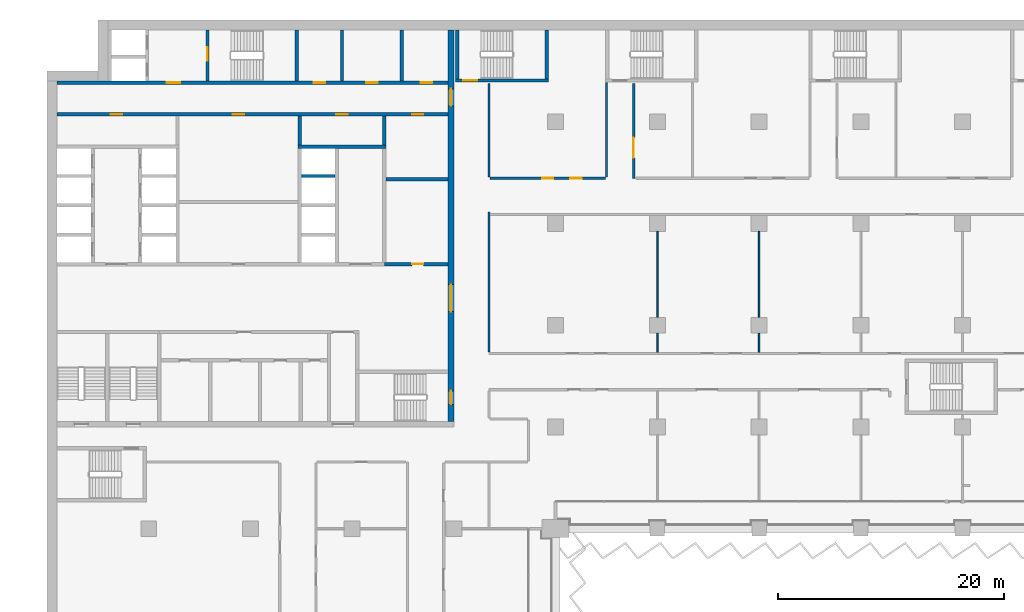
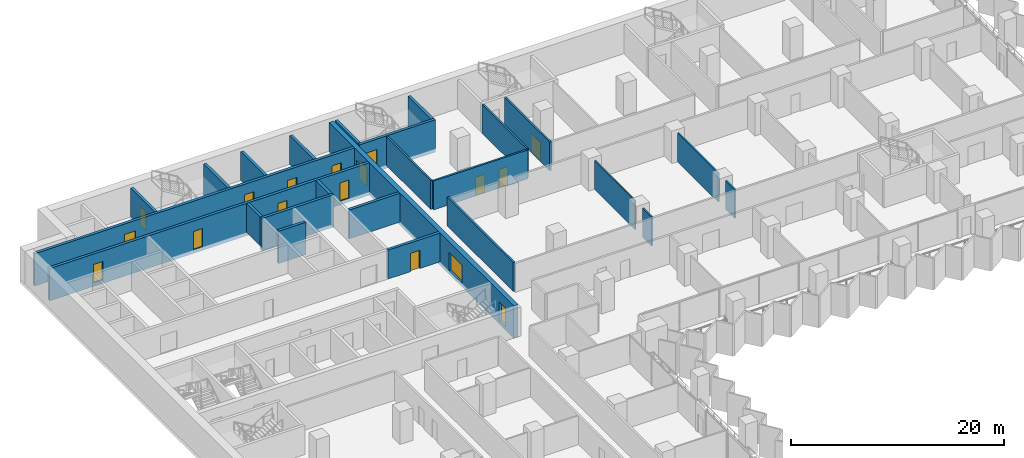
# One storey, part 15 of 28: 25 walls, 17 doors, 17 openings.
"""IFC4 building model written with IfcOpenShell, lengths in metres."""

from ifc_helpers import new_model, si_unit, direction, frame, frame_2d, origin, place, context, subcontext, project, spatial, rectangle, extrude, material, layer, layer_set, type_object, element, fill, save


model = new_model("IFC4")

# Units and contexts
model_context = context("Model", 3, precision=1e-05, world=origin(), true_north=direction((0.0, 1.0)))
body_context = subcontext(model_context, "Body", "Model", "MODEL_VIEW")
ifc_project = project(units=[si_unit("LENGTHUNIT", "METRE"), si_unit("AREAUNIT", "SQUARE_METRE"), si_unit("VOLUMEUNIT", "CUBIC_METRE"), si_unit("PLANEANGLEUNIT", "RADIAN"), si_unit("MASSUNIT", "GRAM", prefix="KILO")], contexts=[model_context])

# Site, building, storey
site_placement = place(None, origin())
site = spatial("IfcSite", under=ifc_project, at=site_placement, CompositionType="ELEMENT")
building_placement = place(site_placement, origin())
building = spatial("IfcBuilding", under=site, at=building_placement, Name="Hunhe Ridgeline Campus", CompositionType="ELEMENT")
storey_placement = place(building_placement, frame((0.0, 0.0, 61.699951171875)))
storey = spatial("IfcBuildingStorey", under=building, at=storey_placement, Name="L14", CompositionType="ELEMENT", Elevation=61.699951171875)

# Wall, opening, door
ifc_material_1 = material(Name="Masonry concrete blockwork", Category="masonry")
ifc_layer_1 = layer(ifc_material_1, 0.300048828125)
ifc_layer_set_1 = layer_set([ifc_layer_1], Name="Core room partition 300 concrete block")
wall_type_1 = type_object("IfcWallType", Name="Core room partition 300 concrete block", PredefinedType="PARTITIONING", material=ifc_layer_set_1)
wall_1_placement = place(storey_placement, frame((29.85009765625, 77.39990234375, 0.0), z_axis=(0.0, 0.0, 1.0), x_axis=(1.0, 0.0, 0.0)))
wall_1 = element("IfcWall", 1, at=wall_1_placement, inside=storey, type_object=wall_type_1, Name="L14 core partition 15", PredefinedType="PARTITIONING", context=body_context, shape_type="SweptSolid", body=[
    extrude(rectangle(XDim=5.64990234375, YDim=0.300048828125, at=frame_2d((2.824951171875, 0.0))), origin(), (0.0, 0.0, 1.0), 3.300048828125),
])
opening_1_placement = place(wall_1_placement, frame((2.449951171875, 0.0, 0.0)))
opening_1 = element("IfcOpeningElement", 2, at=opening_1_placement, cuts=wall_1, Name="Opening CD32", PredefinedType="OPENING", context=body_context, shape_type="SweptSolid", body=[
    extrude(rectangle(XDim=1.0, YDim=2.10009765625, at=frame_2d((0.5, 1.050048828125))), frame((0.0, 0.14990234375, 0.0), z_axis=(0.0, -1.0, 0.0), x_axis=(1.0, 0.0, 0.0)), (0.0, 0.0, 1.0), 0.300048828125),
])
ifc_material_2 = material(Name="Solid core timber door leaf", Category="wood")
door_type_1 = type_object("IfcDoorType", Name="Timber door 1000x2100", OperationType="SINGLE_SWING_LEFT", PredefinedType="DOOR", material=ifc_material_2)
door_1_placement = place(opening_1_placement, origin())
door_1 = element("IfcDoor", 3, at=door_1_placement, inside=storey, type_object=door_type_1, Name="L14 door ES0", OperationType="SINGLE_SWING_RIGHT", OverallHeight=2.10009765625, OverallWidth=1.0, PredefinedType="DOOR", context=body_context, shape_type="SweptSolid", body=[
    extrude(rectangle(XDim=1.0, YDim=2.10009765625, at=frame_2d((0.5, 1.050048828125))), frame((0.0, 0.02490234375, 0.0), z_axis=(0.0, -1.0, 0.0), x_axis=(1.0, 0.0, 0.0)), (0.0, 0.0, 1.0), 0.050048828125),
])
fill(opening_1, door_1)

# Walls
wall_2_placement = place(storey_placement, frame((30.0, 84.89990234375, 0.0), z_axis=(0.0, 0.0, 1.0), x_axis=(1.0, 0.0, 0.0)))
element("IfcWall", 4, at=wall_2_placement, inside=storey, type_object=wall_type_1, Name="L14 core partition 23", PredefinedType="PARTITIONING", context=body_context, shape_type="SweptSolid", body=[
    extrude(rectangle(XDim=5.5, YDim=0.300048828125, at=frame_2d((2.75, 0.0))), origin(), (0.0, 0.0, 1.0), 3.300048828125),
])
wall_3_placement = place(storey_placement, frame((22.35009765625, 87.949951171875, 0.0), z_axis=(0.0, 0.0, 1.0), x_axis=(0.0, 1.0, 0.0)))
element("IfcWall", 5, at=wall_3_placement, inside=storey, type_object=wall_type_1, Name="L14 core partition 52", PredefinedType="PARTITIONING", context=body_context, shape_type="SweptSolid", body=[
    extrude(rectangle(XDim=2.550048828125, YDim=0.300048828125, at=frame_2d((1.27490234375, 0.0))), origin(), (0.0, 0.0, 1.0), 3.300048828125),
])
wall_4_placement = place(storey_placement, frame((26.10009765625, 93.60009765625, 0.0), z_axis=(0.0, 0.0, 1.0), x_axis=(0.0, 1.0, 0.0)))
element("IfcWall", 6, at=wall_4_placement, inside=storey, type_object=wall_type_1, Name="L14 core partition 57", PredefinedType="PARTITIONING", context=body_context, shape_type="SweptSolid", body=[
    extrude(rectangle(XDim=4.5, YDim=0.300048828125, at=frame_2d((2.25, 0.0))), origin(), (0.0, 0.0, 1.0), 3.300048828125),
])
wall_5_placement = place(storey_placement, frame((29.85009765625, 87.949951171875, 0.0), z_axis=(0.0, 0.0, 1.0), x_axis=(0.0, 1.0, 0.0)))
element("IfcWall", 7, at=wall_5_placement, inside=storey, type_object=wall_type_1, Name="L14 core partition 61", PredefinedType="PARTITIONING", context=body_context, shape_type="SweptSolid", body=[
    extrude(rectangle(XDim=2.550048828125, YDim=0.300048828125, at=frame_2d((1.27490234375, 0.0))), origin(), (0.0, 0.0, 1.0), 3.300048828125),
])
wall_6_placement = place(storey_placement, frame((31.39990234375, 93.60009765625, 0.0), z_axis=(0.0, 0.0, 1.0), x_axis=(0.0, 1.0, 0.0)))
element("IfcWall", 8, at=wall_6_placement, inside=storey, type_object=wall_type_1, Name="L14 core partition 62", PredefinedType="PARTITIONING", context=body_context, shape_type="SweptSolid", body=[
    extrude(rectangle(XDim=4.5, YDim=0.300048828125, at=frame_2d((2.25, 0.0))), origin(), (0.0, 0.0, 1.0), 3.300048828125),
])

# Wall, openings, doors
ifc_material_3 = material(Name="Concrete C80", Category="concrete")
ifc_layer_2 = layer(ifc_material_3, 0.5)
ifc_layer_set_2 = layer_set([ifc_layer_2], Name="Core wall 500 reinforced concrete C80")
wall_type_2 = type_object("IfcWallType", Name="Core wall 500 reinforced concrete C80", PredefinedType="SOLIDWALL", material=ifc_layer_set_2)
wall_7_placement = place(storey_placement, frame((35.75, 63.5, -0.39990234375), z_axis=(0.0, 0.0, 1.0), x_axis=(0.0, 1.0, 0.0)))
wall_7 = element("IfcWall", 9, at=wall_7_placement, inside=storey, type_object=wall_type_2, Name="L14 core wall 63", PredefinedType="SOLIDWALL", context=body_context, shape_type="SweptSolid", body=[
    extrude(rectangle(XDim=34.60009765625, YDim=0.5, at=frame_2d((17.300048828125, 0.0))), origin(), (0.0, 0.0, 1.0), 3.699951171875),
])
opening_2_placement = place(wall_7_placement, frame((9.699951171875, 0.0, 0.39990234375)))
opening_2 = element("IfcOpeningElement", 10, at=opening_2_placement, cuts=wall_7, Name="Opening CD4", PredefinedType="OPENING", context=body_context, shape_type="SweptSolid", body=[
    extrude(rectangle(XDim=2.39990234375, YDim=2.10009765625, at=frame_2d((1.199951171875, 1.050048828125))), frame((0.0, 0.25, 0.0), z_axis=(0.0, -1.0, 0.0), x_axis=(1.0, 0.0, 0.0)), (0.0, 0.0, 1.0), 0.5),
])
opening_3_placement = place(wall_7_placement, frame((27.89990234375, 0.0, 0.39990234375)))
opening_3 = element("IfcOpeningElement", 11, at=opening_3_placement, cuts=wall_7, Name="Opening CD5", PredefinedType="OPENING", context=body_context, shape_type="SweptSolid", body=[
    extrude(rectangle(XDim=1.5, YDim=2.10009765625, at=frame_2d((0.75, 1.050048828125))), frame((0.0, 0.25, 0.0), z_axis=(0.0, -1.0, 0.0), x_axis=(1.0, 0.0, 0.0)), (0.0, 0.0, 1.0), 0.5),
])
opening_4_placement = place(wall_7_placement, frame((1.5, 0.0, 0.39990234375)))
opening_4 = element("IfcOpeningElement", 12, at=opening_4_placement, cuts=wall_7, Name="Opening CD15", PredefinedType="OPENING", context=body_context, shape_type="SweptSolid", body=[
    extrude(rectangle(XDim=1.199951171875, YDim=2.10009765625, at=frame_2d((0.60009765625, 1.050048828125))), frame((0.0, 0.25, 0.0), z_axis=(0.0, -1.0, 0.0), x_axis=(1.0, 0.0, 0.0)), (0.0, 0.0, 1.0), 0.5),
])
ifc_material_4 = material(Name="Anodised aluminium and glass", Category="aluminium")
door_type_2 = type_object("IfcDoorType", Name="Glazed double door 2400x2100", OperationType="DOUBLE_DOOR_SINGLE_SWING", PredefinedType="DOOR", material=ifc_material_4)
door_2_placement = place(opening_2_placement, frame((2.39990234375, 0.0, 0.0), z_axis=(0.0, 0.0, 1.0), x_axis=(-1.0, 0.0, 0.0)))
door_2 = element("IfcDoor", 13, at=door_2_placement, inside=storey, type_object=door_type_2, Name="L14 door HALL-FLOOR", OperationType="DOUBLE_DOOR_SINGLE_SWING", OverallHeight=2.10009765625, OverallWidth=2.39990234375, PredefinedType="DOOR", context=body_context, shape_type="SweptSolid", body=[
    extrude(rectangle(XDim=2.39990234375, YDim=2.10009765625, at=frame_2d((1.199951171875, 1.050048828125))), frame((0.0, 0.02490234375, 0.0), z_axis=(0.0, -1.0, 0.0), x_axis=(1.0, 0.0, 0.0)), (0.0, 0.0, 1.0), 0.050048828125),
])
fill(opening_2, door_2)
ifc_material_5 = material(Name="Hollow metal fire door leaf")
door_type_3 = type_object("IfcDoorType", Name="Stair door 1200x2100 FD60", OperationType="SINGLE_SWING_LEFT", PredefinedType="DOOR", material=ifc_material_5)
door_3_placement = place(opening_4_placement, frame((1.199951171875, 0.0, 0.0), z_axis=(0.0, 0.0, 1.0), x_axis=(-1.0, 0.0, 0.0)))
door_3 = element("IfcDoor", 14, at=door_3_placement, inside=storey, type_object=door_type_3, Name="L14 door S2-FLOOR", OperationType="SINGLE_SWING_RIGHT", OverallHeight=2.10009765625, OverallWidth=1.199951171875, PredefinedType="DOOR", context=body_context, shape_type="SweptSolid", body=[
    extrude(rectangle(XDim=1.199951171875, YDim=2.10009765625, at=frame_2d((0.60009765625, 1.050048828125))), frame((0.0, 0.02490234375, 0.0), z_axis=(0.0, -1.0, 0.0), x_axis=(1.0, 0.0, 0.0)), (0.0, 0.0, 1.0), 0.050048828125),
])
fill(opening_4, door_3)
door_type_4 = type_object("IfcDoorType", Name="Timber door 1500x2100", OperationType="SINGLE_SWING_LEFT", PredefinedType="DOOR", material=ifc_material_2)
door_4_placement = place(opening_3_placement, frame((1.5, 0.0, 0.0), z_axis=(0.0, 0.0, 1.0), x_axis=(-1.0, 0.0, 0.0)))
door_4 = element("IfcDoor", 15, at=door_4_placement, inside=storey, type_object=door_type_4, Name="L14 door C1-FLOOR", OperationType="SINGLE_SWING_RIGHT", OverallHeight=2.10009765625, OverallWidth=1.5, PredefinedType="DOOR", context=body_context, shape_type="SweptSolid", body=[
    extrude(rectangle(XDim=1.5, YDim=2.10009765625, at=frame_2d((0.75, 1.050048828125))), frame((0.0, 0.02490234375, 0.0), z_axis=(0.0, -1.0, 0.0), x_axis=(1.0, 0.0, 0.0)), (0.0, 0.0, 1.0), 0.050048828125),
])
fill(opening_3, door_4)

ifc_material_6 = material(Name="Gypsum board partition")
ifc_layer_3 = layer(ifc_material_6, 0.199951171875)
ifc_layer_set_3 = layer_set([ifc_layer_3], Name="Corridor partition 200 gypsum board on steel studs")
wall_type_3 = type_object("IfcWallType", Name="Corridor partition 200 gypsum board on steel studs", PredefinedType="PARTITIONING", material=ifc_layer_set_3)
wall_8_placement = place(storey_placement, frame((39.199951171875, 85.0, 0.0), z_axis=(0.0, 0.0, 1.0), x_axis=(1.0, 0.0, 0.0)))
wall_8 = element("IfcWall", 16, at=wall_8_placement, inside=storey, type_object=wall_type_3, Name="F-L14-wall-043", PredefinedType="PARTITIONING", context=body_context, shape_type="SweptSolid", body=[
    extrude(rectangle(XDim=10.199951171875, YDim=0.199951171875, at=frame_2d((5.10009765625, 0.0))), origin(), (0.0, 0.0, 1.0), 3.300048828125),
])
opening_5_placement = place(wall_8_placement, frame((4.60009765625, 0.0, 0.0)))
opening_5 = element("IfcOpeningElement", 17, at=opening_5_placement, cuts=wall_8, Name="Opening RD1-040", PredefinedType="OPENING", context=body_context, shape_type="SweptSolid", body=[
    extrude(rectangle(XDim=1.0, YDim=2.10009765625, at=frame_2d((0.5, 1.050048828125))), frame((0.0, 0.10009765625, 0.0), z_axis=(0.0, -1.0, 0.0), x_axis=(1.0, 0.0, 0.0)), (0.0, 0.0, 1.0), 0.199951171875),
])
opening_6_placement = place(wall_8_placement, frame((7.10009765625, 0.0, 0.0)))
opening_6 = element("IfcOpeningElement", 18, at=opening_6_placement, cuts=wall_8, Name="Opening RD1-041", PredefinedType="OPENING", context=body_context, shape_type="SweptSolid", body=[
    extrude(rectangle(XDim=1.0, YDim=2.10009765625, at=frame_2d((0.5, 1.050048828125))), frame((0.0, 0.10009765625, 0.0), z_axis=(0.0, -1.0, 0.0), x_axis=(1.0, 0.0, 0.0)), (0.0, 0.0, 1.0), 0.199951171875),
])
ifc_material_7 = material(Name="Timber door leaf", Category="wood")
door_type_5 = type_object("IfcDoorType", Name="Single fire door 1000x2100 timber FD60", OperationType="NOTDEFINED", PredefinedType="DOOR", material=ifc_material_7)
door_5_placement = place(opening_5_placement, frame((1.0, 0.0, 0.0), z_axis=(0.0, 0.0, 1.0), x_axis=(-1.0, 0.0, 0.0)))
door_5 = element("IfcDoor", 19, at=door_5_placement, inside=storey, type_object=door_type_5, Name="F-L14-door-040", OperationType="SINGLE_SWING_LEFT", OverallHeight=2.10009765625, OverallWidth=1.0, PredefinedType="DOOR", context=body_context, shape_type="SweptSolid", body=[
    extrude(rectangle(XDim=1.0, YDim=2.10009765625, at=frame_2d((0.5, 1.050048828125))), frame((0.0, 0.02490234375, 0.0), z_axis=(0.0, -1.0, 0.0), x_axis=(1.0, 0.0, 0.0)), (0.0, 0.0, 1.0), 0.050048828125),
])
fill(opening_5, door_5)
door_6_placement = place(opening_6_placement, frame((1.0, 0.0, 0.0), z_axis=(0.0, 0.0, 1.0), x_axis=(-1.0, 0.0, 0.0)))
door_6 = element("IfcDoor", 20, at=door_6_placement, inside=storey, type_object=door_type_5, Name="F-L14-door-041", OperationType="SINGLE_SWING_LEFT", OverallHeight=2.10009765625, OverallWidth=1.0, PredefinedType="DOOR", context=body_context, shape_type="SweptSolid", body=[
    extrude(rectangle(XDim=1.0, YDim=2.10009765625, at=frame_2d((0.5, 1.050048828125))), frame((0.0, 0.02490234375, 0.0), z_axis=(0.0, -1.0, 0.0), x_axis=(1.0, 0.0, 0.0)), (0.0, 0.0, 1.0), 0.050048828125),
])
fill(opening_6, door_6)

# Walls
wall_9_placement = place(storey_placement, frame((39.10009765625, 82.012451171875, 0.0), z_axis=(0.0, 0.0, 1.0), x_axis=(0.0, -1.0, 0.0)))
element("IfcWall", 21, at=wall_9_placement, inside=storey, type_object=wall_type_3, Name="F-L14-wall-063", PredefinedType="PARTITIONING", context=body_context, shape_type="SweptSolid", body=[
    extrude(rectangle(XDim=12.373291015625, YDim=0.199951171875, at=frame_2d((6.1865234375, 0.0))), origin(), (0.0, 0.0, 1.0), 3.300048828125),
])
wall_10_placement = place(storey_placement, frame((39.10009765625, 93.39599609375, 0.0), z_axis=(0.0, 0.0, 1.0), x_axis=(0.0, -1.0, 0.0)))
element("IfcWall", 22, at=wall_10_placement, inside=storey, type_object=wall_type_3, Name="F-L14-wall-064", PredefinedType="PARTITIONING", context=body_context, shape_type="SweptSolid", body=[
    extrude(rectangle(XDim=8.2958984375, YDim=0.199951171875, at=frame_2d((4.14794921875, 0.0))), origin(), (0.0, 0.0, 1.0), 3.300048828125),
])
wall_11_placement = place(storey_placement, frame((49.5, 85.10009765625, 0.0), z_axis=(0.0, 0.0, 1.0), x_axis=(0.0, 1.0, 0.0)))
element("IfcWall", 23, at=wall_11_placement, inside=storey, type_object=wall_type_3, Name="F-L14-wall-066", PredefinedType="PARTITIONING", context=body_context, shape_type="SweptSolid", body=[
    extrude(rectangle(XDim=8.369873046875, YDim=0.199951171875, at=frame_2d((4.18505859375, 0.0))), origin(), (0.0, 0.0, 1.0), 3.300048828125),
])

# Wall, opening, door
wall_12_placement = place(storey_placement, frame((51.89990234375, 93.39599609375, 0.0), z_axis=(0.0, 0.0, 1.0), x_axis=(0.0, -1.0, 0.0)))
wall_12 = element("IfcWall", 24, at=wall_12_placement, inside=storey, type_object=wall_type_3, Name="F-L14-wall-067", PredefinedType="PARTITIONING", context=body_context, shape_type="SweptSolid", body=[
    extrude(rectangle(XDim=8.39599609375, YDim=0.199951171875, at=frame_2d((4.197998046875, 0.0))), origin(), (0.0, 0.0, 1.0), 3.300048828125),
])
opening_7_placement = place(wall_12_placement, frame((4.798095703125, 0.0, 0.0)))
opening_7 = element("IfcOpeningElement", 25, at=opening_7_placement, cuts=wall_12, Name="Opening RD2-048", PredefinedType="OPENING", context=body_context, shape_type="SweptSolid", body=[
    extrude(rectangle(XDim=1.800048828125, YDim=2.10009765625, at=frame_2d((0.89990234375, 1.050048828125))), frame((0.0, 0.10009765625, 0.0), z_axis=(0.0, -1.0, 0.0), x_axis=(1.0, 0.0, 0.0)), (0.0, 0.0, 1.0), 0.199951171875),
])
door_type_6 = type_object("IfcDoorType", Name="Double fire door 1800x2100 timber FD60", OperationType="DOUBLE_DOOR_SINGLE_SWING", PredefinedType="DOOR", material=ifc_material_7)
door_7_placement = place(opening_7_placement, origin())
door_7 = element("IfcDoor", 26, at=door_7_placement, inside=storey, type_object=door_type_6, Name="F-L14-door-048", OperationType="DOUBLE_DOOR_SINGLE_SWING", OverallHeight=2.10009765625, OverallWidth=1.800048828125, PredefinedType="DOOR", context=body_context, shape_type="SweptSolid", body=[
    extrude(rectangle(XDim=1.800048828125, YDim=2.10009765625, at=frame_2d((0.89990234375, 1.050048828125))), frame((0.0, 0.02490234375, 0.0), z_axis=(0.0, -1.0, 0.0), x_axis=(1.0, 0.0, 0.0)), (0.0, 0.0, 1.0), 0.050048828125),
])
fill(opening_7, door_7)

# Wall, openings, doors
ifc_layer_4 = layer(ifc_material_3, 0.300048828125)
ifc_layer_set_4 = layer_set([ifc_layer_4], Name="Lobby wall 300 reinforced concrete C80")
wall_type_4 = type_object("IfcWallType", Name="Lobby wall 300 reinforced concrete C80", PredefinedType="SOLIDWALL", material=ifc_layer_set_4)
wall_13_placement = place(storey_placement, frame((0.89990234375, 90.64990234375, -0.39990234375), z_axis=(0.0, 0.0, 1.0), x_axis=(1.0, 0.0, 0.0)))
wall_13 = element("IfcWall", 27, at=wall_13_placement, inside=storey, type_object=wall_type_4, Name="L14 core wall 29", PredefinedType="SOLIDWALL", context=body_context, shape_type="SweptSolid", body=[
    extrude(rectangle(XDim=34.60009765625, YDim=0.300048828125, at=frame_2d((17.300048828125, 0.0))), origin(), (0.0, 0.0, 1.0), 3.699951171875),
])
opening_8_placement = place(wall_13_placement, frame((4.75, 0.0, 0.39990234375)))
opening_8 = element("IfcOpeningElement", 28, at=opening_8_placement, cuts=wall_13, Name="Opening CD26", PredefinedType="OPENING", context=body_context, shape_type="SweptSolid", body=[
    extrude(rectangle(XDim=1.0, YDim=2.10009765625, at=frame_2d((0.5, 1.050048828125))), frame((0.0, 0.14990234375, 0.0), z_axis=(0.0, -1.0, 0.0), x_axis=(1.0, 0.0, 0.0)), (0.0, 0.0, 1.0), 0.300048828125),
])
opening_9_placement = place(wall_13_placement, frame((24.699951171875, 0.0, 0.39990234375)))
opening_9 = element("IfcOpeningElement", 29, at=opening_9_placement, cuts=wall_13, Name="Opening CD27", PredefinedType="OPENING", context=body_context, shape_type="SweptSolid", body=[
    extrude(rectangle(XDim=1.0, YDim=2.10009765625, at=frame_2d((0.5, 1.050048828125))), frame((0.0, 0.14990234375, 0.0), z_axis=(0.0, -1.0, 0.0), x_axis=(1.0, 0.0, 0.0)), (0.0, 0.0, 1.0), 0.300048828125),
])
opening_10_placement = place(wall_13_placement, frame((15.550048828125, 0.0, 0.39990234375)))
opening_10 = element("IfcOpeningElement", 30, at=opening_10_placement, cuts=wall_13, Name="Opening CD29", PredefinedType="OPENING", context=body_context, shape_type="SweptSolid", body=[
    extrude(rectangle(XDim=1.0, YDim=2.10009765625, at=frame_2d((0.5, 1.050048828125))), frame((0.0, 0.14990234375, 0.0), z_axis=(0.0, -1.0, 0.0), x_axis=(1.0, 0.0, 0.0)), (0.0, 0.0, 1.0), 0.300048828125),
])
opening_11_placement = place(wall_13_placement, frame((31.39990234375, 0.0, 0.39990234375)))
opening_11 = element("IfcOpeningElement", 31, at=opening_11_placement, cuts=wall_13, Name="Opening CD33", PredefinedType="OPENING", context=body_context, shape_type="SweptSolid", body=[
    extrude(rectangle(XDim=1.0, YDim=2.10009765625, at=frame_2d((0.5, 1.050048828125))), frame((0.0, 0.14990234375, 0.0), z_axis=(0.0, -1.0, 0.0), x_axis=(1.0, 0.0, 0.0)), (0.0, 0.0, 1.0), 0.300048828125),
])
door_8_placement = place(opening_8_placement, frame((1.0, 0.0, 0.0), z_axis=(0.0, 0.0, 1.0), x_axis=(-1.0, 0.0, 0.0)))
door_8 = element("IfcDoor", 32, at=door_8_placement, inside=storey, type_object=door_type_1, Name="L14 door NR-0", OperationType="SINGLE_SWING_RIGHT", OverallHeight=2.10009765625, OverallWidth=1.0, PredefinedType="DOOR", context=body_context, shape_type="SweptSolid", body=[
    extrude(rectangle(XDim=1.0, YDim=2.10009765625, at=frame_2d((0.5, 1.050048828125))), frame((0.0, 0.02490234375, 0.0), z_axis=(0.0, -1.0, 0.0), x_axis=(1.0, 0.0, 0.0)), (0.0, 0.0, 1.0), 0.050048828125),
])
fill(opening_8, door_8)
door_9_placement = place(opening_9_placement, frame((1.0, 0.0, 0.0), z_axis=(0.0, 0.0, 1.0), x_axis=(-1.0, 0.0, 0.0)))
door_9 = element("IfcDoor", 33, at=door_9_placement, inside=storey, type_object=door_type_1, Name="L14 door NR-1", OperationType="SINGLE_SWING_LEFT", OverallHeight=2.10009765625, OverallWidth=1.0, PredefinedType="DOOR", context=body_context, shape_type="SweptSolid", body=[
    extrude(rectangle(XDim=1.0, YDim=2.10009765625, at=frame_2d((0.5, 1.050048828125))), frame((0.0, 0.02490234375, 0.0), z_axis=(0.0, -1.0, 0.0), x_axis=(1.0, 0.0, 0.0)), (0.0, 0.0, 1.0), 0.050048828125),
])
fill(opening_9, door_9)
door_10_placement = place(opening_10_placement, frame((1.0, 0.0, 0.0), z_axis=(0.0, 0.0, 1.0), x_axis=(-1.0, 0.0, 0.0)))
door_10 = element("IfcDoor", 34, at=door_10_placement, inside=storey, type_object=door_type_1, Name="L14 door VD-HR1", OperationType="SINGLE_SWING_LEFT", OverallHeight=2.10009765625, OverallWidth=1.0, PredefinedType="DOOR", context=body_context, shape_type="SweptSolid", body=[
    extrude(rectangle(XDim=1.0, YDim=2.10009765625, at=frame_2d((0.5, 1.050048828125))), frame((0.0, 0.02490234375, 0.0), z_axis=(0.0, -1.0, 0.0), x_axis=(1.0, 0.0, 0.0)), (0.0, 0.0, 1.0), 0.050048828125),
])
fill(opening_10, door_10)
door_11_placement = place(opening_11_placement, frame((1.0, 0.0, 0.0), z_axis=(0.0, 0.0, 1.0), x_axis=(-1.0, 0.0, 0.0)))
door_11 = element("IfcDoor", 35, at=door_11_placement, inside=storey, type_object=door_type_1, Name="L14 door ES1", OperationType="SINGLE_SWING_RIGHT", OverallHeight=2.10009765625, OverallWidth=1.0, PredefinedType="DOOR", context=body_context, shape_type="SweptSolid", body=[
    extrude(rectangle(XDim=1.0, YDim=2.10009765625, at=frame_2d((0.5, 1.050048828125))), frame((0.0, 0.02490234375, 0.0), z_axis=(0.0, -1.0, 0.0), x_axis=(1.0, 0.0, 0.0)), (0.0, 0.0, 1.0), 0.050048828125),
])
fill(opening_11, door_11)

# Walls
ifc_layer_5 = layer(ifc_material_6, 0.14990234375)
ifc_layer_set_5 = layer_set([ifc_layer_5], Name="Room partition 150 gypsum board on steel studs")
wall_type_5 = type_object("IfcWallType", Name="Room partition 150 gypsum board on steel studs", PredefinedType="PARTITIONING", material=ifc_layer_set_5)
wall_14_placement = place(storey_placement, frame((54.0, 71.300048828125, 0.0), z_axis=(0.0, 0.0, 1.0), x_axis=(0.0, -1.0, 0.0)))
element("IfcWall", 36, at=wall_14_placement, inside=storey, type_object=wall_type_5, Name="F-L14-wall-070", PredefinedType="PARTITIONING", context=body_context, shape_type="SweptSolid", body=[
    extrude(rectangle(XDim=1.699951171875, YDim=0.14990234375, at=frame_2d((0.85009765625, 0.0))), origin(), (0.0, 0.0, 1.0), 3.300048828125),
])
wall_15_placement = place(storey_placement, frame((54.0, 80.300048828125, 0.0), z_axis=(0.0, 0.0, 1.0), x_axis=(0.0, -1.0, 0.0)))
element("IfcWall", 37, at=wall_15_placement, inside=storey, type_object=wall_type_5, Name="F-L14-wall-071", PredefinedType="PARTITIONING", context=body_context, shape_type="SweptSolid", body=[
    extrude(rectangle(XDim=7.60009765625, YDim=0.14990234375, at=frame_2d((3.800048828125, 0.0))), origin(), (0.0, 0.0, 1.0), 3.300048828125),
])
wall_16_placement = place(storey_placement, frame((63.0, 71.300048828125, 0.0), z_axis=(0.0, 0.0, 1.0), x_axis=(0.0, -1.0, 0.0)))
element("IfcWall", 38, at=wall_16_placement, inside=storey, type_object=wall_type_5, Name="F-L14-wall-075", PredefinedType="PARTITIONING", context=body_context, shape_type="SweptSolid", body=[
    extrude(rectangle(XDim=1.699951171875, YDim=0.14990234375, at=frame_2d((0.85009765625, 0.0))), origin(), (0.0, 0.0, 1.0), 3.300048828125),
])
wall_17_placement = place(storey_placement, frame((63.0, 80.300048828125, 0.0), z_axis=(0.0, 0.0, 1.0), x_axis=(0.0, -1.0, 0.0)))
element("IfcWall", 39, at=wall_17_placement, inside=storey, type_object=wall_type_5, Name="F-L14-wall-076", PredefinedType="PARTITIONING", context=body_context, shape_type="SweptSolid", body=[
    extrude(rectangle(XDim=7.60009765625, YDim=0.14990234375, at=frame_2d((3.800048828125, 0.0))), origin(), (0.0, 0.0, 1.0), 3.300048828125),
])
ifc_layer_6 = layer(ifc_material_3, 0.300048828125)
ifc_layer_set_6 = layer_set([ifc_layer_6], Name="Shaft wall 300 reinforced concrete C80")
wall_type_6 = type_object("IfcWallType", Name="Shaft wall 300 reinforced concrete C80", PredefinedType="SOLIDWALL", material=ifc_layer_set_6)
wall_18_placement = place(storey_placement, frame((22.5, 85.199951171875, -0.39990234375), z_axis=(0.0, 0.0, 1.0), x_axis=(1.0, 0.0, 0.0)))
element("IfcWall", 40, at=wall_18_placement, inside=storey, type_object=wall_type_6, Name="L14 core wall 26", PredefinedType="SOLIDWALL", context=body_context, shape_type="SweptSolid", body=[
    extrude(rectangle(XDim=3.0, YDim=0.300048828125, at=frame_2d((1.5, 0.0))), origin(), (0.0, 0.0, 1.0), 3.699951171875),
])
wall_19_placement = place(storey_placement, frame((22.199951171875, 87.800048828125, -0.39990234375), z_axis=(0.0, 0.0, 1.0), x_axis=(1.0, 0.0, 0.0)))
element("IfcWall", 41, at=wall_19_placement, inside=storey, type_object=wall_type_6, Name="L14 core wall 28", PredefinedType="SOLIDWALL", context=body_context, shape_type="SweptSolid", body=[
    extrude(rectangle(XDim=7.800048828125, YDim=0.300048828125, at=frame_2d((3.89990234375, 0.0))), origin(), (0.0, 0.0, 1.0), 3.699951171875),
])

# Wall, openings, doors
wall_20_placement = place(storey_placement, frame((0.89990234375, 93.449951171875, -0.39990234375), z_axis=(0.0, 0.0, 1.0), x_axis=(1.0, 0.0, 0.0)))
wall_20 = element("IfcWall", 42, at=wall_20_placement, inside=storey, type_object=wall_type_6, Name="L14 core wall 30", PredefinedType="SOLIDWALL", context=body_context, shape_type="SweptSolid", body=[
    extrude(rectangle(XDim=34.60009765625, YDim=0.300048828125, at=frame_2d((17.300048828125, 0.0))), origin(), (0.0, 0.0, 1.0), 3.699951171875),
])
opening_12_placement = place(wall_20_placement, frame((9.699951171875, 0.0, 0.39990234375)))
opening_12 = element("IfcOpeningElement", 43, at=opening_12_placement, cuts=wall_20, Name="Opening CD3", PredefinedType="OPENING", context=body_context, shape_type="SweptSolid", body=[
    extrude(rectangle(XDim=1.199951171875, YDim=2.10009765625, at=frame_2d((0.60009765625, 1.050048828125))), frame((0.0, 0.14990234375, 0.0), z_axis=(0.0, -1.0, 0.0), x_axis=(1.0, 0.0, 0.0)), (0.0, 0.0, 1.0), 0.300048828125),
])
opening_13_placement = place(wall_20_placement, frame((22.699951171875, 0.0, 0.39990234375)))
opening_13 = element("IfcOpeningElement", 44, at=opening_13_placement, cuts=wall_20, Name="Opening CD34", PredefinedType="OPENING", context=body_context, shape_type="SweptSolid", body=[
    extrude(rectangle(XDim=1.0, YDim=2.10009765625, at=frame_2d((0.5, 1.050048828125))), frame((0.0, 0.14990234375, 0.0), z_axis=(0.0, -1.0, 0.0), x_axis=(1.0, 0.0, 0.0)), (0.0, 0.0, 1.0), 0.300048828125),
])
opening_14_placement = place(wall_20_placement, frame((27.35009765625, 0.0, 0.39990234375)))
opening_14 = element("IfcOpeningElement", 45, at=opening_14_placement, cuts=wall_20, Name="Opening CD35", PredefinedType="OPENING", context=body_context, shape_type="SweptSolid", body=[
    extrude(rectangle(XDim=1.0, YDim=2.10009765625, at=frame_2d((0.5, 1.050048828125))), frame((0.0, 0.14990234375, 0.0), z_axis=(0.0, -1.0, 0.0), x_axis=(1.0, 0.0, 0.0)), (0.0, 0.0, 1.0), 0.300048828125),
])
opening_15_placement = place(wall_20_placement, frame((32.175048828125, 0.0, 0.39990234375)))
opening_15 = element("IfcOpeningElement", 46, at=opening_15_placement, cuts=wall_20, Name="Opening CD36", PredefinedType="OPENING", context=body_context, shape_type="SweptSolid", body=[
    extrude(rectangle(XDim=1.0, YDim=2.10009765625, at=frame_2d((0.5, 1.050048828125))), frame((0.0, 0.14990234375, 0.0), z_axis=(0.0, -1.0, 0.0), x_axis=(1.0, 0.0, 0.0)), (0.0, 0.0, 1.0), 0.300048828125),
])
door_type_7 = type_object("IfcDoorType", Name="Lobby door 1200x2100 FD60", OperationType="SINGLE_SWING_LEFT", PredefinedType="DOOR", material=ifc_material_5)
door_12_placement = place(opening_12_placement, frame((1.199951171875, 0.0, 0.0), z_axis=(0.0, 0.0, 1.0), x_axis=(-1.0, 0.0, 0.0)))
door_12 = element("IfcDoor", 47, at=door_12_placement, inside=storey, type_object=door_type_7, Name="L14 door FF-C1", OperationType="SINGLE_SWING_LEFT", OverallHeight=2.10009765625, OverallWidth=1.199951171875, PredefinedType="DOOR", context=body_context, shape_type="SweptSolid", body=[
    extrude(rectangle(XDim=1.199951171875, YDim=2.10009765625, at=frame_2d((0.60009765625, 1.050048828125))), frame((0.0, 0.02490234375, 0.0), z_axis=(0.0, -1.0, 0.0), x_axis=(1.0, 0.0, 0.0)), (0.0, 0.0, 1.0), 0.050048828125),
])
fill(opening_12, door_12)
door_13_placement = place(opening_13_placement, origin())
door_13 = element("IfcDoor", 48, at=door_13_placement, inside=storey, type_object=door_type_1, Name="L14 door NB0", OperationType="SINGLE_SWING_RIGHT", OverallHeight=2.10009765625, OverallWidth=1.0, PredefinedType="DOOR", context=body_context, shape_type="SweptSolid", body=[
    extrude(rectangle(XDim=1.0, YDim=2.10009765625, at=frame_2d((0.5, 1.050048828125))), frame((0.0, 0.02490234375, 0.0), z_axis=(0.0, -1.0, 0.0), x_axis=(1.0, 0.0, 0.0)), (0.0, 0.0, 1.0), 0.050048828125),
])
fill(opening_13, door_13)
door_14_placement = place(opening_14_placement, origin())
door_14 = element("IfcDoor", 49, at=door_14_placement, inside=storey, type_object=door_type_1, Name="L14 door NB1", OperationType="SINGLE_SWING_LEFT", OverallHeight=2.10009765625, OverallWidth=1.0, PredefinedType="DOOR", context=body_context, shape_type="SweptSolid", body=[
    extrude(rectangle(XDim=1.0, YDim=2.10009765625, at=frame_2d((0.5, 1.050048828125))), frame((0.0, 0.02490234375, 0.0), z_axis=(0.0, -1.0, 0.0), x_axis=(1.0, 0.0, 0.0)), (0.0, 0.0, 1.0), 0.050048828125),
])
fill(opening_14, door_14)
door_15_placement = place(opening_15_placement, origin())
door_15 = element("IfcDoor", 50, at=door_15_placement, inside=storey, type_object=door_type_1, Name="L14 door NB2", OperationType="SINGLE_SWING_RIGHT", OverallHeight=2.10009765625, OverallWidth=1.0, PredefinedType="DOOR", context=body_context, shape_type="SweptSolid", body=[
    extrude(rectangle(XDim=1.0, YDim=2.10009765625, at=frame_2d((0.5, 1.050048828125))), frame((0.0, 0.02490234375, 0.0), z_axis=(0.0, -1.0, 0.0), x_axis=(1.0, 0.0, 0.0)), (0.0, 0.0, 1.0), 0.050048828125),
])
fill(opening_15, door_15)

# Wall, opening, door
ifc_layer_7 = layer(ifc_material_3, 0.300048828125)
ifc_layer_set_7 = layer_set([ifc_layer_7], Name="Stair wall 300 reinforced concrete C80")
wall_type_7 = type_object("IfcWallType", Name="Stair wall 300 reinforced concrete C80", PredefinedType="SOLIDWALL", material=ifc_layer_set_7)
wall_21_placement = place(storey_placement, frame((36.14990234375, 93.64990234375, -0.39990234375), z_axis=(0.0, 0.0, 1.0), x_axis=(1.0, 0.0, 0.0)))
wall_21 = element("IfcWall", 51, at=wall_21_placement, inside=storey, type_object=wall_type_7, Name="L14 core wall 31", PredefinedType="SOLIDWALL", context=body_context, shape_type="SweptSolid", body=[
    extrude(rectangle(XDim=8.2001953125, YDim=0.300048828125, at=frame_2d((4.10009765625, 0.0))), origin(), (0.0, 0.0, 1.0), 3.699951171875),
])
opening_16_placement = place(wall_21_placement, frame((0.699951171875, 0.0, 0.39990234375)))
opening_16 = element("IfcOpeningElement", 52, at=opening_16_placement, cuts=wall_21, Name="Opening CD17", PredefinedType="OPENING", context=body_context, shape_type="SweptSolid", body=[
    extrude(rectangle(XDim=1.199951171875, YDim=2.10009765625, at=frame_2d((0.60009765625, 1.050048828125))), frame((0.0, 0.14990234375, 0.0), z_axis=(0.0, -1.0, 0.0), x_axis=(1.0, 0.0, 0.0)), (0.0, 0.0, 1.0), 0.300048828125),
])
door_16_placement = place(opening_16_placement, frame((1.199951171875, 0.0, 0.0), z_axis=(0.0, 0.0, 1.0), x_axis=(-1.0, 0.0, 0.0)))
door_16 = element("IfcDoor", 53, at=door_16_placement, inside=storey, type_object=door_type_3, Name="L14 door E1", OperationType="SINGLE_SWING_RIGHT", OverallHeight=2.10009765625, OverallWidth=1.199951171875, PredefinedType="DOOR", context=body_context, shape_type="SweptSolid", body=[
    extrude(rectangle(XDim=1.199951171875, YDim=2.10009765625, at=frame_2d((0.60009765625, 1.050048828125))), frame((0.0, 0.02490234375, 0.0), z_axis=(0.0, -1.0, 0.0), x_axis=(1.0, 0.0, 0.0)), (0.0, 0.0, 1.0), 0.050048828125),
])
fill(opening_16, door_16)

wall_22_placement = place(storey_placement, frame((14.199951171875, 93.60009765625, -0.39990234375), z_axis=(0.0, 0.0, 1.0), x_axis=(0.0, 1.0, 0.0)))
wall_22 = element("IfcWall", 54, at=wall_22_placement, inside=storey, type_object=wall_type_7, Name="L14 core wall 46", PredefinedType="SOLIDWALL", context=body_context, shape_type="SweptSolid", body=[
    extrude(rectangle(XDim=4.5, YDim=0.300048828125, at=frame_2d((2.25, 0.0))), origin(), (0.0, 0.0, 1.0), 3.699951171875),
])
opening_17_placement = place(wall_22_placement, frame((1.800048828125, 0.0, 0.39990234375)))
opening_17 = element("IfcOpeningElement", 55, at=opening_17_placement, cuts=wall_22, Name="Opening CD16", PredefinedType="OPENING", context=body_context, shape_type="SweptSolid", body=[
    extrude(rectangle(XDim=1.199951171875, YDim=2.10009765625, at=frame_2d((0.60009765625, 1.050048828125))), frame((0.0, 0.14990234375, 0.0), z_axis=(0.0, -1.0, 0.0), x_axis=(1.0, 0.0, 0.0)), (0.0, 0.0, 1.0), 0.300048828125),
])
door_17_placement = place(opening_17_placement, origin())
door_17 = element("IfcDoor", 56, at=door_17_placement, inside=storey, type_object=door_type_3, Name="L14 door S1-FF", OperationType="SINGLE_SWING_LEFT", OverallHeight=2.10009765625, OverallWidth=1.199951171875, PredefinedType="DOOR", context=body_context, shape_type="SweptSolid", body=[
    extrude(rectangle(XDim=1.199951171875, YDim=2.10009765625, at=frame_2d((0.60009765625, 1.050048828125))), frame((0.0, 0.02490234375, 0.0), z_axis=(0.0, -1.0, 0.0), x_axis=(1.0, 0.0, 0.0)), (0.0, 0.0, 1.0), 0.050048828125),
])
fill(opening_17, door_17)

# Walls
wall_23_placement = place(storey_placement, frame((22.10009765625, 93.60009765625, -0.39990234375), z_axis=(0.0, 0.0, 1.0), x_axis=(0.0, 1.0, 0.0)))
element("IfcWall", 57, at=wall_23_placement, inside=storey, type_object=wall_type_7, Name="L14 core wall 50", PredefinedType="SOLIDWALL", context=body_context, shape_type="SweptSolid", body=[
    extrude(rectangle(XDim=4.5, YDim=0.300048828125, at=frame_2d((2.25, 0.0))), origin(), (0.0, 0.0, 1.0), 3.699951171875),
])
for number, where, z_axis, x_axis, name in (
    (58, (36.300048828125, 93.800048828125, -0.39990234375), (0.0, 0.0, 1.0), (0.0, 1.0, 0.0), "L14 core wall 64"),
    (59, (44.199951171875, 93.800048828125, -0.39990234375), (0.0, 0.0, 1.0), (0.0, 1.0, 0.0), "L14 core wall 65"),
):
    element("IfcWall", number, at=place(storey_placement, frame(where, z_axis=z_axis, x_axis=x_axis)), inside=storey, type_object=wall_type_7, Name=name, PredefinedType="SOLIDWALL", context=body_context, shape_type="SweptSolid", body=[
        extrude(rectangle(XDim=4.300048828125, YDim=0.300048828125, at=frame_2d((2.14990234375, 0.0))), origin(), (0.0, 0.0, 1.0), 3.699951171875),
    ])

save(model, "model.ifc")
